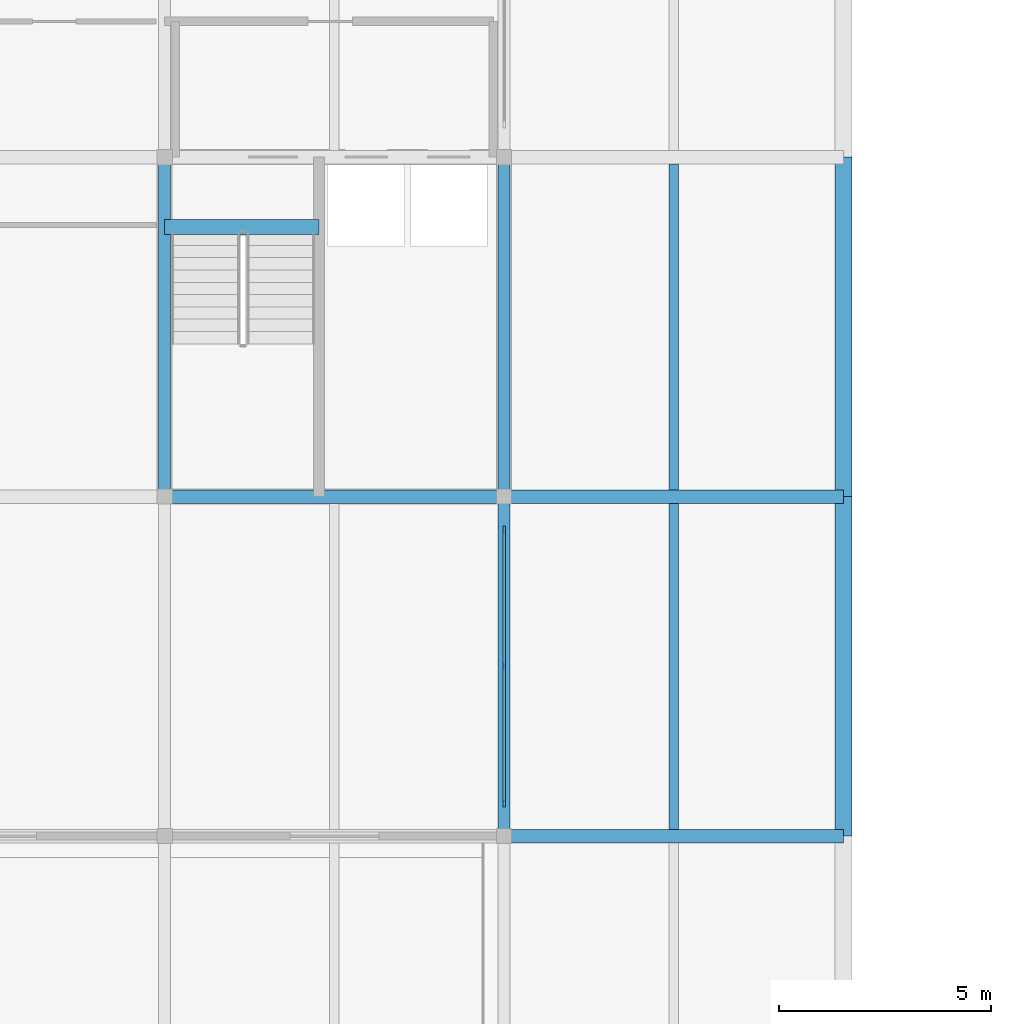
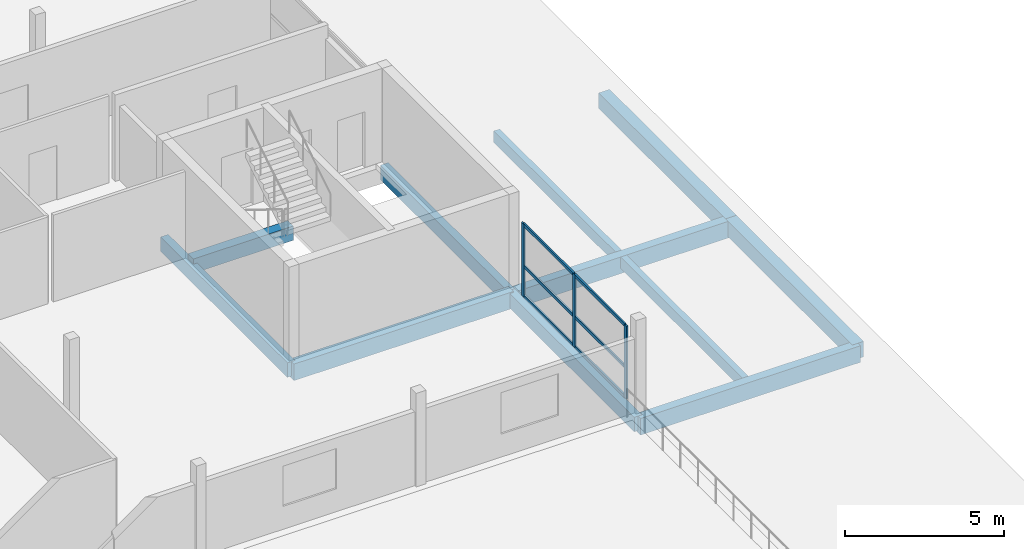
# One storey, part 6 of 25: 11 beams, 9 members, 1 element without a shape of its own.
"""IFC4 building model written with IfcOpenShell, lengths in metres."""

from ifc_helpers import new_model, si_unit, direction, frame, origin, origin_2d, place, context, subcontext, project, spatial, rectangle, extrude, material, material_profile, profile_set, type_object, element, aggregate, save


model = new_model("IFC4")

# Units and contexts
model_context = context("Model", 3, precision=1e-05, world=origin(), true_north=direction((0.0, 1.0)))
body_context = subcontext(model_context, "Body", "Model", "MODEL_VIEW")
ifc_project = project(units=[si_unit("LENGTHUNIT", "METRE"), si_unit("AREAUNIT", "SQUARE_METRE"), si_unit("VOLUMEUNIT", "CUBIC_METRE"), si_unit("PLANEANGLEUNIT", "RADIAN"), si_unit("MASSUNIT", "GRAM", prefix="KILO")], contexts=[model_context])

# Site, building, storey
site_placement = place(None, origin())
site = spatial("IfcSite", under=ifc_project, at=site_placement, CompositionType="ELEMENT")
building_placement = place(site_placement, origin())
building = spatial("IfcBuilding", under=site, at=building_placement, Name="Vharandega Faculty of Natural Sciences", CompositionType="ELEMENT")
storey_placement = place(building_placement, frame((0.0, 0.0, 25.199951171875)))
storey = spatial("IfcBuildingStorey", under=building, at=storey_placement, Name="L06", CompositionType="ELEMENT", Elevation=25.199951171875)

# Curtain wall, members
ifc_material_1 = material(Name="Aluminium and solar-control glass curtain wall", Category="aluminium")
curtain_wall_type = type_object("IfcCurtainWallType", Name="Unitised Curtain Wall System CW-22", PredefinedType="NOTDEFINED", material=ifc_material_1)
curtain_wall_placement = place(storey_placement, origin())
curtain_wall = element("IfcCurtainWall", 1, at=curtain_wall_placement, inside=storey, type_object=curtain_wall_type, Name="Curtain Wall CW-L06-217", PredefinedType="NOTDEFINED")
ifc_material_2 = material(Name="Thermally broken aluminium 6063-T6", Category="aluminium")
ifc_material_profile_1 = material_profile(ifc_material_2, rectangle(XDim=0.06005859375, YDim=0.159912109375, at=origin_2d()), Name="ALU 60x160")
ifc_profile_set_1 = profile_set([ifc_material_profile_1], Name="Thermally broken aluminium 6063-T6")
member_type_1 = type_object("IfcMemberType", Name="CW Mullion 60x160", PredefinedType="MULLION", material=ifc_profile_set_1)
member_1_placement = place(storey_placement, frame((40.0, 32.77001953125, 0.0), z_axis=(0.0, 0.0, 1.0), x_axis=(-1.0, 0.0, 0.0)))
member_1 = element("IfcMember", 2, at=member_1_placement, type_object=member_type_1, Name="CW-22 mullion 1", PredefinedType="MULLION", context=body_context, shape_type="SweptSolid", body=[
    extrude(rectangle(XDim=0.06005859375, YDim=0.159912109375, at=origin_2d()), origin(), (0.0, 0.0, 1.0), 2.800048828125),
])
member_2_placement = place(storey_placement, frame((40.0, 36.0, 0.0), z_axis=(0.0, 0.0, 1.0), x_axis=(-1.0, 0.0, 0.0)))
member_2 = element("IfcMember", 3, at=member_2_placement, type_object=member_type_1, Name="CW-22 mullion 2", PredefinedType="MULLION", context=body_context, shape_type="SweptSolid", body=[
    extrude(rectangle(XDim=0.06005859375, YDim=0.159912109375, at=origin_2d()), origin(), (0.0, 0.0, 1.0), 2.800048828125),
])
member_3_placement = place(storey_placement, frame((40.0, 39.22998046875, 0.0), z_axis=(0.0, 0.0, 1.0), x_axis=(-1.0, 0.0, 0.0)))
member_3 = element("IfcMember", 4, at=member_3_placement, type_object=member_type_1, Name="CW-22 mullion 3", PredefinedType="MULLION", context=body_context, shape_type="SweptSolid", body=[
    extrude(rectangle(XDim=0.06005859375, YDim=0.159912109375, at=origin_2d()), origin(), (0.0, 0.0, 1.0), 2.800048828125),
])
ifc_material_3 = material(Name="Thermally broken aluminium 6063-T6", Category="aluminium")
ifc_material_profile_2 = material_profile(ifc_material_3, rectangle(XDim=0.06005859375, YDim=0.1201171875, at=origin_2d()), Name="ALU 60x120")
ifc_profile_set_2 = profile_set([ifc_material_profile_2], Name="Thermally broken aluminium 6063-T6")
member_type_2 = type_object("IfcMemberType", Name="CW Transom 60x120", PredefinedType="USERDEFINED", material=ifc_profile_set_2)
member_4_placement = place(storey_placement, frame((40.0, 32.800048828125, 0.030029296875), z_axis=(0.0, 1.0, 0.0), x_axis=(-1.0, 0.0, 0.0)))
member_4 = element("IfcMember", 5, at=member_4_placement, type_object=member_type_2, Name="CW-22 transom 1.1", ObjectType="TRANSOM", PredefinedType="USERDEFINED", context=body_context, shape_type="SweptSolid", body=[
    extrude(rectangle(XDim=0.06005859375, YDim=0.1201171875, at=origin_2d()), origin(), (0.0, 0.0, 1.0), 3.169921875),
])
member_5_placement = place(storey_placement, frame((40.0, 32.800048828125, 1.176025390625), z_axis=(0.0, 1.0, 0.0), x_axis=(-1.0, 0.0, 0.0)))
member_5 = element("IfcMember", 6, at=member_5_placement, type_object=member_type_2, Name="CW-22 transom 1.2", ObjectType="TRANSOM", PredefinedType="USERDEFINED", context=body_context, shape_type="SweptSolid", body=[
    extrude(rectangle(XDim=0.06005859375, YDim=0.1201171875, at=origin_2d()), origin(), (0.0, 0.0, 1.0), 3.169921875),
])
member_6_placement = place(storey_placement, frame((40.0, 32.800048828125, 2.77001953125), z_axis=(0.0, 1.0, 0.0), x_axis=(-1.0, 0.0, 0.0)))
member_6 = element("IfcMember", 7, at=member_6_placement, type_object=member_type_2, Name="CW-22 transom 1.3", ObjectType="TRANSOM", PredefinedType="USERDEFINED", context=body_context, shape_type="SweptSolid", body=[
    extrude(rectangle(XDim=0.06005859375, YDim=0.1201171875, at=origin_2d()), origin(), (0.0, 0.0, 1.0), 3.169921875),
])
member_7_placement = place(storey_placement, frame((40.0, 36.030029296875, 0.030029296875), z_axis=(0.0, 1.0, 0.0), x_axis=(-1.0, 0.0, 0.0)))
member_7 = element("IfcMember", 8, at=member_7_placement, type_object=member_type_2, Name="CW-22 transom 2.1", ObjectType="TRANSOM", PredefinedType="USERDEFINED", context=body_context, shape_type="SweptSolid", body=[
    extrude(rectangle(XDim=0.06005859375, YDim=0.1201171875, at=origin_2d()), origin(), (0.0, 0.0, 1.0), 3.169921875),
])
member_8_placement = place(storey_placement, frame((40.0, 36.030029296875, 1.176025390625), z_axis=(0.0, 1.0, 0.0), x_axis=(-1.0, 0.0, 0.0)))
member_8 = element("IfcMember", 9, at=member_8_placement, type_object=member_type_2, Name="CW-22 transom 2.2", ObjectType="TRANSOM", PredefinedType="USERDEFINED", context=body_context, shape_type="SweptSolid", body=[
    extrude(rectangle(XDim=0.06005859375, YDim=0.1201171875, at=origin_2d()), origin(), (0.0, 0.0, 1.0), 3.169921875),
])
member_9_placement = place(storey_placement, frame((40.0, 36.030029296875, 2.77001953125), z_axis=(0.0, 1.0, 0.0), x_axis=(-1.0, 0.0, 0.0)))
member_9 = element("IfcMember", 10, at=member_9_placement, type_object=member_type_2, Name="CW-22 transom 2.3", ObjectType="TRANSOM", PredefinedType="USERDEFINED", context=body_context, shape_type="SweptSolid", body=[
    extrude(rectangle(XDim=0.06005859375, YDim=0.1201171875, at=origin_2d()), origin(), (0.0, 0.0, 1.0), 3.169921875),
])
aggregate(curtain_wall, [member_1, member_2, member_3, member_4, member_5, member_6, member_7, member_8, member_9])

# Beams
ifc_material_4 = material(Name="Glulam GL28h", Category="wood")
ifc_material_profile_3 = material_profile(ifc_material_4, rectangle(XDim=0.280029296875, YDim=0.56005859375, at=origin_2d()), Name="GL28h 280x560")
ifc_profile_set_3 = profile_set([ifc_material_profile_3], Name="Glulam GL28h")
beam_type_1 = type_object("IfcBeamType", Name="Glulam Floor Beam 280x560", PredefinedType="BEAM", material=ifc_profile_set_3)
for number, where, z_axis, x_axis, name in (
    (11, (32.0, 40.0, -0.47998046875), (0.0, 1.0, 0.0), (-1.0, 0.0, 0.0), "Beam L06 5/F-G"),
    (12, (40.0, 32.0, -0.52001953125), (0.0, 1.0, 0.0), (-1.0, 0.0, 0.0), "Beam L06 6/E-F"),
    (13, (40.0, 40.0, -0.52001953125), (0.0, 1.0, 0.0), (-1.0, 0.0, 0.0), "Beam L06 6/F-G"),
):
    element("IfcBeam", number, at=place(storey_placement, frame(where, z_axis=z_axis, x_axis=x_axis)), inside=storey, type_object=beam_type_1, Name=name, PredefinedType="BEAM", context=body_context, shape_type="SweptSolid", body=[
        extrude(rectangle(XDim=0.280029296875, YDim=0.56005859375, at=origin_2d()), origin(), (0.0, 0.0, 1.0), 8.0),
    ])
ifc_material_5 = material(Name="Glulam GL28h", Category="wood")
ifc_material_profile_4 = material_profile(ifc_material_5, rectangle(XDim=0.320068359375, YDim=0.639892578125, at=origin_2d()), Name="GL28h 320x640")
ifc_profile_set_4 = profile_set([ifc_material_profile_4], Name="Glulam GL28h")
beam_type_2 = type_object("IfcBeamType", Name="Glulam Floor Beam 320x640", PredefinedType="BEAM", material=ifc_profile_set_4)
for number, where, z_axis, x_axis, name in (
    (14, (40.0, 32.0, -0.56005859375), (1.0, 0.0, 0.0), (0.0, 1.0, 0.0), "Beam L06 E/6-7"),
    (15, (32.0, 40.0, -0.52001953125), (1.0, 0.0, 0.0), (0.0, 1.0, 0.0), "Beam L06 F/5-6"),
    (16, (40.0, 40.0, -0.56005859375), (1.0, 0.0, 0.0), (0.0, 1.0, 0.0), "Beam L06 F/6-7"),
):
    element("IfcBeam", number, at=place(storey_placement, frame(where, z_axis=z_axis, x_axis=x_axis)), inside=storey, type_object=beam_type_2, Name=name, PredefinedType="BEAM", context=body_context, shape_type="SweptSolid", body=[
        extrude(rectangle(XDim=0.320068359375, YDim=0.639892578125, at=origin_2d()), origin(), (0.0, 0.0, 1.0), 8.0),
    ])
ifc_material_6 = material(Name="Glulam GL28h", Category="wood")
ifc_material_profile_5 = material_profile(ifc_material_6, rectangle(XDim=0.219970703125, YDim=0.43994140625, at=origin_2d()), Name="GL28h 220x440")
ifc_profile_set_5 = profile_set([ifc_material_profile_5], Name="Glulam GL28h")
beam_type_3 = type_object("IfcBeamType", Name="Glulam Secondary Joist 220x440", PredefinedType="JOIST", material=ifc_profile_set_5)
for number, where, z_axis, x_axis, name in (
    (17, (44.0, 32.159912109375, -0.4599609375), (0.0, 1.0, 0.0), (-1.0, 0.0, 0.0), "Secondary Joist L06 6-7/E-F"),
    (18, (44.0, 40.159912109375, -0.4599609375), (0.0, 1.0, 0.0), (-1.0, 0.0, 0.0), "Secondary Joist L06 6-7/F-G"),
):
    element("IfcBeam", number, at=place(storey_placement, frame(where, z_axis=z_axis, x_axis=x_axis)), inside=storey, type_object=beam_type_3, Name=name, PredefinedType="JOIST", context=body_context, shape_type="SweptSolid", body=[
        extrude(rectangle(XDim=0.219970703125, YDim=0.43994140625, at=origin_2d()), origin(), (0.0, 0.0, 1.0), 7.68017578125),
    ])
ifc_material_7 = material(Name="Glulam GL32h", Category="wood")
ifc_material_profile_6 = material_profile(ifc_material_7, rectangle(XDim=0.39990234375, YDim=0.60009765625, at=origin_2d()), Name="GL32h 400x600")
ifc_profile_set_6 = profile_set([ifc_material_profile_6], Name="Glulam GL32h")
beam_type_4 = type_object("IfcBeamType", Name="Glulam Spine Girder 400x600", PredefinedType="BEAM", material=ifc_profile_set_6)
for number, where, z_axis, x_axis, name in (
    (19, (48.0, 32.0, -0.5400390625), (0.0, 1.0, 0.0), (-1.0, 0.0, 0.0), "Beam L06 7/E-F"),
    (20, (48.0, 40.0, -0.5400390625), (0.0, 1.0, 0.0), (-1.0, 0.0, 0.0), "Beam L06 7/F-G"),
):
    element("IfcBeam", number, at=place(storey_placement, frame(where, z_axis=z_axis, x_axis=x_axis)), inside=storey, type_object=beam_type_4, Name=name, PredefinedType="BEAM", context=body_context, shape_type="SweptSolid", body=[
        extrude(rectangle(XDim=0.39990234375, YDim=0.60009765625, at=origin_2d()), origin(), (0.0, 0.0, 1.0), 8.0),
    ])
ifc_material_8 = material(Name="Concrete C40/50", Category="concrete")
ifc_material_profile_7 = material_profile(ifc_material_8, rectangle(XDim=0.35009765625, YDim=0.550048828125, at=origin_2d()), Name="RC 350x550")
ifc_profile_set_7 = profile_set([ifc_material_profile_7], Name="Concrete C40/50")
beam_type_5 = type_object("IfcBeamType", Name="Stair Header Trimmer Beam 350x550", PredefinedType="BEAM", material=ifc_profile_set_7)
beam_placement = place(storey_placement, frame((32.0, 46.35009765625, -0.27490234375), z_axis=(1.0, 0.0, 0.0), x_axis=(0.0, 1.0, 0.0)))
element("IfcBeam", 21, at=beam_placement, inside=storey, type_object=beam_type_5, Name="Stair Landing Trimmer Beam C3 L06", PredefinedType="BEAM", context=body_context, shape_type="SweptSolid", body=[
    extrude(rectangle(XDim=0.35009765625, YDim=0.550048828125, at=origin_2d()), origin(), (0.0, 0.0, 1.0), 3.639892578125),
])

save(model, "model.ifc")
